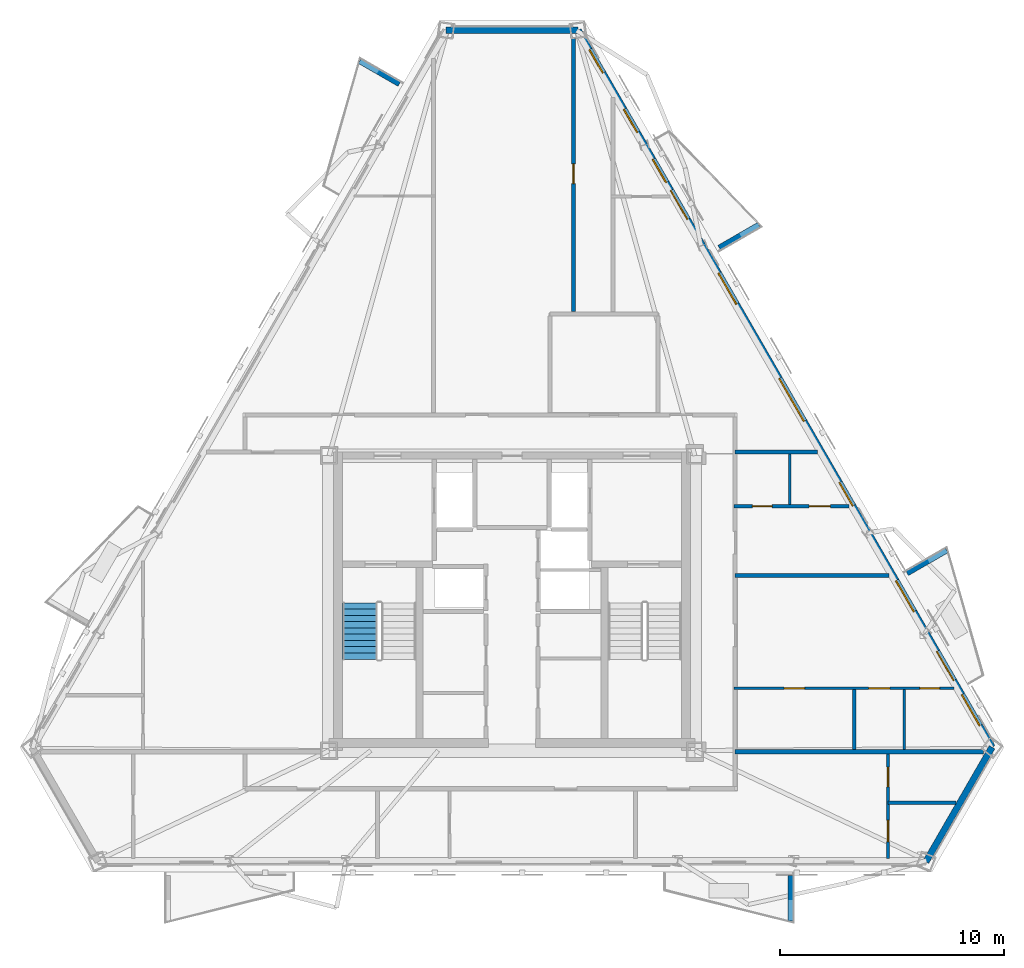
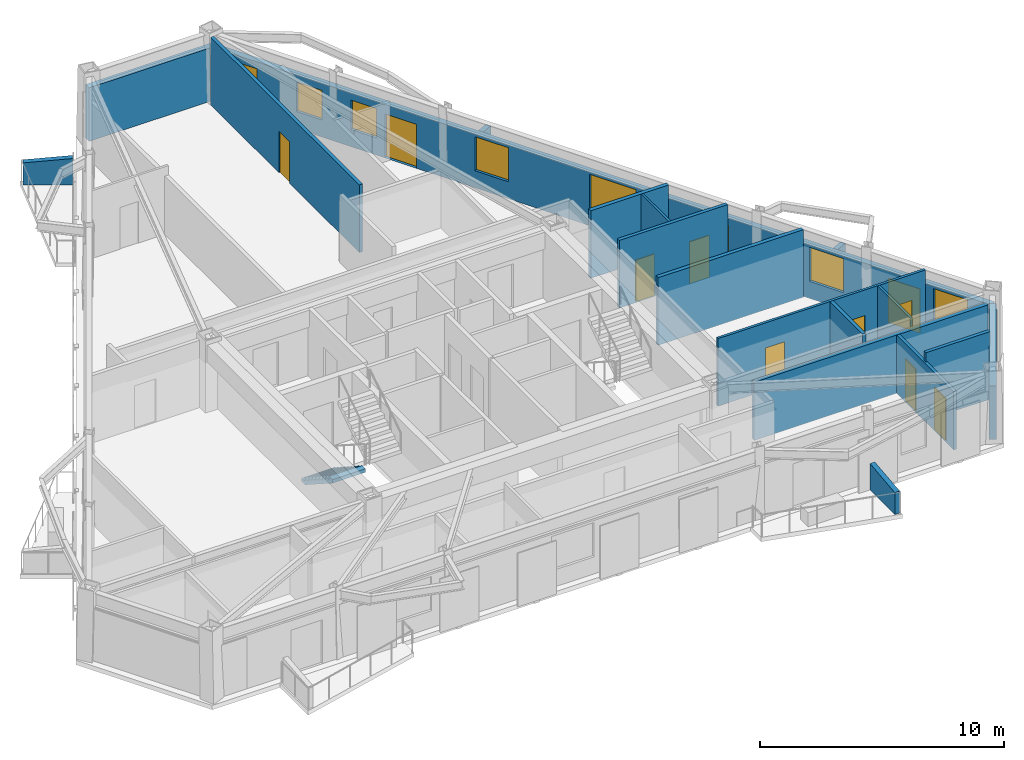
# One storey, part 5 of 9: 18 walls, 10 doors, 8 windows, 1 stair flight, 18 openings, 1 element without a shape of its own.
"""IFC4 building model written with IfcOpenShell, lengths in metres."""

from ifc_helpers import new_model, si_unit, direction, frame, frame_2d, origin, place, context, subcontext, project, spatial, polyline, rectangle, outline, extrude, material, layer, layer_set, type_object, element, fill, aggregate, save


model = new_model("IFC4")

# Units and contexts
model_context = context("Model", 3, precision=1e-05, world=origin(), true_north=direction((0.0, 1.0)))
body_context = subcontext(model_context, "Body", "Model", "MODEL_VIEW")
ifc_project = project(units=[si_unit("LENGTHUNIT", "METRE"), si_unit("AREAUNIT", "SQUARE_METRE"), si_unit("VOLUMEUNIT", "CUBIC_METRE"), si_unit("PLANEANGLEUNIT", "RADIAN"), si_unit("MASSUNIT", "GRAM", prefix="KILO")], contexts=[model_context])

# Site, building, storey
site_placement = place(None, origin())
site = spatial("IfcSite", under=ifc_project, at=site_placement, CompositionType="ELEMENT")
building_placement = place(site_placement, origin())
building = spatial("IfcBuilding", under=site, at=building_placement, Name="Oramaril Tower", CompositionType="ELEMENT")
storey_placement = place(building_placement, frame((0.0, 0.0, 237.89990234375)))
storey = spatial("IfcBuildingStorey", under=building, at=storey_placement, Name="L63", CompositionType="ELEMENT", Elevation=237.89990234375)

# Wall
ifc_material_1 = material(Name="Warm Cream Limestone", Category="masonry")
ifc_layer_1 = layer(ifc_material_1, 0.2900390625)
ifc_layer_set_1 = layer_set([ifc_layer_1], Name="WT-EXT29")
wall_type_1 = type_object("IfcWallType", Name="WT-EXT29", PredefinedType="SOLIDWALL", material=ifc_layer_set_1)
wall_1_placement = place(storey_placement, frame((55.949951171875, 6.042236328125, 0.0), z_axis=(0.0, 0.0, 1.0), x_axis=(0.499998311937, 0.866026378386, 0.0)))
element("IfcWall", 1, at=wall_1_placement, inside=storey, type_object=wall_type_1, Name="L63 Tower Limestone Facade Wall 3M", PredefinedType="SOLIDWALL", context=body_context, shape_type="SweptSolid", body=[
    extrude(rectangle(XDim=5.89892578125, YDim=0.2900390625, at=frame_2d((2.949462890625, 0.0))), origin(), (0.0, 0.0, 1.0), 2.677001953125),
])

# Wall, openings, doors, windows
wall_2_placement = place(storey_placement, frame((58.8994140625, 11.15087890625, 0.0), z_axis=(0.0, 0.0, 1.0), x_axis=(-0.500002325133, 0.866024061364, 0.0)))
wall_2 = element("IfcWall", 2, at=wall_2_placement, inside=storey, type_object=wall_type_1, Name="L63 Tower Limestone Facade Wall 4M", PredefinedType="SOLIDWALL", context=body_context, shape_type="SweptSolid", body=[
    extrude(rectangle(XDim=36.899658203125, YDim=0.2900390625, at=frame_2d((18.44970703125, 0.0))), origin(), (0.0, 0.0, 1.0), 2.677001953125),
])
opening_1_placement = place(wall_2_placement, frame((3.429443359375, 0.0, 0.0)))
opening_1 = element("IfcOpeningElement", 3, at=opening_1_placement, cuts=wall_2, Name="Opening D-L63-BAL-NE1", PredefinedType="OPENING", context=body_context, shape_type="SweptSolid", body=[
    extrude(rectangle(XDim=1.5, YDim=2.199951171875, at=frame_2d((0.75, 1.10009765625))), frame((0.0, 0.14501953125, 0.0), z_axis=(0.0, -1.0, 0.0), x_axis=(1.0, 0.0, 0.0)), (0.0, 0.0, 1.0), 0.2900390625),
])
opening_2_placement = place(wall_2_placement, frame((27.155517578125, 0.0, 0.0)))
opening_2 = element("IfcOpeningElement", 4, at=opening_2_placement, cuts=wall_2, Name="Opening D-L63-BAL-NE2", PredefinedType="OPENING", context=body_context, shape_type="SweptSolid", body=[
    extrude(rectangle(XDim=1.5, YDim=2.199951171875, at=frame_2d((0.75, 1.10009765625))), frame((0.0, 0.14501953125, 0.0), z_axis=(0.0, -1.0, 0.0), x_axis=(1.0, 0.0, 0.0)), (0.0, 0.0, 1.0), 0.2900390625),
])
opening_3_placement = place(wall_2_placement, frame((6.969970703125, 0.0, 0.85009765625)))
opening_3 = element("IfcOpeningElement", 5, at=opening_3_placement, cuts=wall_2, Name="Opening WN-07", PredefinedType="OPENING", context=body_context, shape_type="SweptSolid", body=[
    extrude(rectangle(XDim=1.60009765625, YDim=1.699951171875, at=frame_2d((0.800048828125, 0.85009765625))), frame((0.0, 0.14501953125, 0.0), z_axis=(0.0, -1.0, 0.0), x_axis=(1.0, 0.0, 0.0)), (0.0, 0.0, 1.0), 0.2900390625),
])
opening_4_placement = place(wall_2_placement, frame((1.10595703125, 0.0, 0.85009765625)))
opening_4 = element("IfcOpeningElement", 6, at=opening_4_placement, cuts=wall_2, Name="Opening WN-07", PredefinedType="OPENING", context=body_context, shape_type="SweptSolid", body=[
    extrude(rectangle(XDim=1.60009765625, YDim=1.699951171875, at=frame_2d((0.800048828125, 0.85009765625))), frame((0.0, 0.14501953125, 0.0), z_axis=(0.0, -1.0, 0.0), x_axis=(1.0, 0.0, 0.0)), (0.0, 0.0, 1.0), 0.2900390625),
])
opening_5_placement = place(wall_2_placement, frame((34.697265625, 0.0, 0.85009765625)))
opening_5 = element("IfcOpeningElement", 7, at=opening_5_placement, cuts=wall_2, Name="Opening WN-09", PredefinedType="OPENING", context=body_context, shape_type="SweptSolid", body=[
    extrude(rectangle(XDim=1.199951171875, YDim=1.47998046875, at=frame_2d((0.60009765625, 0.739990234375))), frame((0.0, 0.14501953125, 0.0), z_axis=(0.0, -1.0, 0.0), x_axis=(1.0, 0.0, 0.0)), (0.0, 0.0, 1.0), 0.2900390625),
])
opening_6_placement = place(wall_2_placement, frame((16.774169921875, 0.0, 0.85009765625)))
opening_6 = element("IfcOpeningElement", 8, at=opening_6_placement, cuts=wall_2, Name="Opening WN-04", PredefinedType="OPENING", context=body_context, shape_type="SweptSolid", body=[
    extrude(rectangle(XDim=2.199951171875, YDim=1.717041015625, at=frame_2d((1.10009765625, 0.8583984375))), frame((0.0, 0.14501953125, 0.0), z_axis=(0.0, -1.0, 0.0), x_axis=(1.0, 0.0, 0.0)), (0.0, 0.0, 1.0), 0.2900390625),
])
opening_7_placement = place(wall_2_placement, frame((22.798828125, 0.0, 0.85009765625)))
opening_7 = element("IfcOpeningElement", 9, at=opening_7_placement, cuts=wall_2, Name="Opening WN-07", PredefinedType="OPENING", context=body_context, shape_type="SweptSolid", body=[
    extrude(rectangle(XDim=1.60009765625, YDim=1.699951171875, at=frame_2d((0.800048828125, 0.85009765625))), frame((0.0, 0.14501953125, 0.0), z_axis=(0.0, -1.0, 0.0), x_axis=(1.0, 0.0, 0.0)), (0.0, 0.0, 1.0), 0.2900390625),
])
opening_8_placement = place(wall_2_placement, frame((29.058837890625, 0.0, 0.85009765625)))
opening_8 = element("IfcOpeningElement", 10, at=opening_8_placement, cuts=wall_2, Name="Opening WN-09", PredefinedType="OPENING", context=body_context, shape_type="SweptSolid", body=[
    extrude(rectangle(XDim=1.199951171875, YDim=1.47998046875, at=frame_2d((0.60009765625, 0.739990234375))), frame((0.0, 0.14501953125, 0.0), z_axis=(0.0, -1.0, 0.0), x_axis=(1.0, 0.0, 0.0)), (0.0, 0.0, 1.0), 0.2900390625),
])
opening_9_placement = place(wall_2_placement, frame((31.634765625, 0.0, 0.85009765625)))
opening_9 = element("IfcOpeningElement", 11, at=opening_9_placement, cuts=wall_2, Name="Opening WN-09", PredefinedType="OPENING", context=body_context, shape_type="SweptSolid", body=[
    extrude(rectangle(XDim=1.199951171875, YDim=1.47998046875, at=frame_2d((0.60009765625, 0.739990234375))), frame((0.0, 0.14501953125, 0.0), z_axis=(0.0, -1.0, 0.0), x_axis=(1.0, 0.0, 0.0)), (0.0, 0.0, 1.0), 0.2900390625),
])
opening_10_placement = place(wall_2_placement, frame((12.4189453125, 0.0, 0.85009765625)))
opening_10 = element("IfcOpeningElement", 12, at=opening_10_placement, cuts=wall_2, Name="Opening WN-09", PredefinedType="OPENING", context=body_context, shape_type="SweptSolid", body=[
    extrude(rectangle(XDim=1.199951171875, YDim=1.47998046875, at=frame_2d((0.60009765625, 0.739990234375))), frame((0.0, 0.14501953125, 0.0), z_axis=(0.0, -1.0, 0.0), x_axis=(1.0, 0.0, 0.0)), (0.0, 0.0, 1.0), 0.2900390625),
])
ifc_material_2 = material(Name="Anodised Aluminium 6063-T6", Category="aluminium")
door_type_1 = type_object("IfcDoorType", Name="DT-BAL", OperationType="NOTDEFINED", PredefinedType="DOOR", material=ifc_material_2)
door_1_placement = place(opening_1_placement, origin())
door_1 = element("IfcDoor", 13, at=door_1_placement, inside=storey, type_object=door_type_1, Name="L63 Balcony Glazed Door L63-BAL-NE1", OperationType="SINGLE_SWING_RIGHT", OverallHeight=2.199951171875, OverallWidth=1.5, PredefinedType="DOOR", context=body_context, shape_type="SweptSolid", body=[
    extrude(rectangle(XDim=1.5, YDim=2.199951171875, at=frame_2d((0.75, 1.10009765625))), frame((0.0, 0.02490234375, 0.0), z_axis=(0.0, -1.0, 0.0), x_axis=(1.0, 0.0, 0.0)), (0.0, 0.0, 1.0), 0.050048828125),
])
fill(opening_1, door_1)
door_2_placement = place(opening_2_placement, origin())
door_2 = element("IfcDoor", 14, at=door_2_placement, inside=storey, type_object=door_type_1, Name="L63 Balcony Glazed Door L63-BAL-NE2", OperationType="SINGLE_SWING_LEFT", OverallHeight=2.199951171875, OverallWidth=1.5, PredefinedType="DOOR", context=body_context, shape_type="SweptSolid", body=[
    extrude(rectangle(XDim=1.5, YDim=2.199951171875, at=frame_2d((0.75, 1.10009765625))), frame((0.0, 0.02490234375, 0.0), z_axis=(0.0, -1.0, 0.0), x_axis=(1.0, 0.0, 0.0)), (0.0, 0.0, 1.0), 0.050048828125),
])
fill(opening_2, door_2)
ifc_material_3 = material(Name="Coastal Low-E Insulated Glass", Category="glass")
window_type_1 = type_object("IfcWindowType", Name="WNT-04", PartitioningType="SINGLE_PANEL", PredefinedType="WINDOW", material=ifc_material_3)
window_1_placement = place(opening_6_placement, origin())
window_1 = element("IfcWindow", 15, at=window_1_placement, inside=storey, type_object=window_type_1, Name="L63 Chicago Bay Window WN-04", OverallHeight=1.717041015625, OverallWidth=2.199951171875, PartitioningType="SINGLE_PANEL", PredefinedType="WINDOW", context=body_context, shape_type="SweptSolid", body=[
    extrude(rectangle(XDim=2.199951171875, YDim=1.717041015625, at=frame_2d((1.10009765625, 0.8583984375))), frame((0.0, 0.030029296875, 0.0), z_axis=(0.0, -1.0, 0.0), x_axis=(1.0, 0.0, 0.0)), (0.0, 0.0, 1.0), 0.06005859375),
])
fill(opening_6, window_1)
ifc_material_4 = material(Name="Coastal Low-E Insulated Glass", Category="glass")
window_type_2 = type_object("IfcWindowType", Name="WNT-07", PartitioningType="SINGLE_PANEL", PredefinedType="WINDOW", material=ifc_material_4)
window_2_placement = place(opening_3_placement, origin())
window_2 = element("IfcWindow", 16, at=window_2_placement, inside=storey, type_object=window_type_2, Name="L63 Chicago Bay Window WN-07", OverallHeight=1.699951171875, OverallWidth=1.60009765625, PartitioningType="SINGLE_PANEL", PredefinedType="WINDOW", context=body_context, shape_type="SweptSolid", body=[
    extrude(rectangle(XDim=1.60009765625, YDim=1.699951171875, at=frame_2d((0.800048828125, 0.85009765625))), frame((0.0, 0.030029296875, 0.0), z_axis=(0.0, -1.0, 0.0), x_axis=(1.0, 0.0, 0.0)), (0.0, 0.0, 1.0), 0.06005859375),
])
fill(opening_3, window_2)
window_3_placement = place(opening_4_placement, origin())
window_3 = element("IfcWindow", 17, at=window_3_placement, inside=storey, type_object=window_type_2, Name="L63 Chicago Bay Window WN-07", OverallHeight=1.699951171875, OverallWidth=1.60009765625, PartitioningType="SINGLE_PANEL", PredefinedType="WINDOW", context=body_context, shape_type="SweptSolid", body=[
    extrude(rectangle(XDim=1.60009765625, YDim=1.699951171875, at=frame_2d((0.800048828125, 0.85009765625))), frame((0.0, 0.030029296875, 0.0), z_axis=(0.0, -1.0, 0.0), x_axis=(1.0, 0.0, 0.0)), (0.0, 0.0, 1.0), 0.06005859375),
])
fill(opening_4, window_3)
window_4_placement = place(opening_7_placement, origin())
window_4 = element("IfcWindow", 18, at=window_4_placement, inside=storey, type_object=window_type_2, Name="L63 Chicago Bay Window WN-07", OverallHeight=1.699951171875, OverallWidth=1.60009765625, PartitioningType="SINGLE_PANEL", PredefinedType="WINDOW", context=body_context, shape_type="SweptSolid", body=[
    extrude(rectangle(XDim=1.60009765625, YDim=1.699951171875, at=frame_2d((0.800048828125, 0.85009765625))), frame((0.0, 0.030029296875, 0.0), z_axis=(0.0, -1.0, 0.0), x_axis=(1.0, 0.0, 0.0)), (0.0, 0.0, 1.0), 0.06005859375),
])
fill(opening_7, window_4)
ifc_material_5 = material(Name="Coastal Low-E Insulated Glass", Category="glass")
window_type_3 = type_object("IfcWindowType", Name="WNT-09", PartitioningType="SINGLE_PANEL", PredefinedType="WINDOW", material=ifc_material_5)
window_5_placement = place(opening_5_placement, origin())
window_5 = element("IfcWindow", 19, at=window_5_placement, inside=storey, type_object=window_type_3, Name="L63 Chicago Bay Window WN-09", OverallHeight=1.47998046875, OverallWidth=1.199951171875, PartitioningType="SINGLE_PANEL", PredefinedType="WINDOW", context=body_context, shape_type="SweptSolid", body=[
    extrude(rectangle(XDim=1.199951171875, YDim=1.47998046875, at=frame_2d((0.60009765625, 0.739990234375))), frame((0.0, 0.030029296875, 0.0), z_axis=(0.0, -1.0, 0.0), x_axis=(1.0, 0.0, 0.0)), (0.0, 0.0, 1.0), 0.06005859375),
])
fill(opening_5, window_5)
window_6_placement = place(opening_8_placement, origin())
window_6 = element("IfcWindow", 20, at=window_6_placement, inside=storey, type_object=window_type_3, Name="L63 Chicago Bay Window WN-09", OverallHeight=1.47998046875, OverallWidth=1.199951171875, PartitioningType="SINGLE_PANEL", PredefinedType="WINDOW", context=body_context, shape_type="SweptSolid", body=[
    extrude(rectangle(XDim=1.199951171875, YDim=1.47998046875, at=frame_2d((0.60009765625, 0.739990234375))), frame((0.0, 0.030029296875, 0.0), z_axis=(0.0, -1.0, 0.0), x_axis=(1.0, 0.0, 0.0)), (0.0, 0.0, 1.0), 0.06005859375),
])
fill(opening_8, window_6)
window_7_placement = place(opening_9_placement, origin())
window_7 = element("IfcWindow", 21, at=window_7_placement, inside=storey, type_object=window_type_3, Name="L63 Chicago Bay Window WN-09", OverallHeight=1.47998046875, OverallWidth=1.199951171875, PartitioningType="SINGLE_PANEL", PredefinedType="WINDOW", context=body_context, shape_type="SweptSolid", body=[
    extrude(rectangle(XDim=1.199951171875, YDim=1.47998046875, at=frame_2d((0.60009765625, 0.739990234375))), frame((0.0, 0.030029296875, 0.0), z_axis=(0.0, -1.0, 0.0), x_axis=(1.0, 0.0, 0.0)), (0.0, 0.0, 1.0), 0.06005859375),
])
fill(opening_9, window_7)
window_8_placement = place(opening_10_placement, origin())
window_8 = element("IfcWindow", 22, at=window_8_placement, inside=storey, type_object=window_type_3, Name="L63 Apartment Bedroom Window WN-09", OverallHeight=1.47998046875, OverallWidth=1.199951171875, PartitioningType="SINGLE_PANEL", PredefinedType="WINDOW", context=body_context, shape_type="SweptSolid", body=[
    extrude(rectangle(XDim=1.199951171875, YDim=1.47998046875, at=frame_2d((0.60009765625, 0.739990234375))), frame((0.0, 0.030029296875, 0.0), z_axis=(0.0, -1.0, 0.0), x_axis=(1.0, 0.0, 0.0)), (0.0, 0.0, 1.0), 0.06005859375),
])
fill(opening_10, window_8)

# Walls
wall_3_placement = place(storey_placement, frame((40.449462890625, 43.10693359375, 0.0), z_axis=(0.0, 0.0, 1.0), x_axis=(-1.0, 0.0, 0.0)))
element("IfcWall", 23, at=wall_3_placement, inside=storey, type_object=wall_type_1, Name="L63 Tower Limestone Facade Wall 5M", PredefinedType="SOLIDWALL", context=body_context, shape_type="SweptSolid", body=[
    extrude(rectangle(XDim=5.89892578125, YDim=0.2900390625, at=frame_2d((2.949462890625, 0.0))), origin(), (0.0, 0.0, 1.0), 2.677001953125),
])
ifc_material_6 = material(Name="Concrete C40/50", Category="concrete")
ifc_layer_2 = layer(ifc_material_6, 0.22998046875)
ifc_layer_set_2 = layer_set([ifc_layer_2], Name="WT-PRP23")
wall_type_2 = type_object("IfcWallType", Name="WT-PRP23", PredefinedType="PARAPET", material=ifc_layer_set_2)
for number, where, z_axis, x_axis, name in (
    (24, (49.910400390625, 5.444091796875, 0.0), (0.0, 0.0, 1.0), (0.0, -1.0, 0.0), "L63 Trapezoidal Balcony Frame Cheek L63-BAL-S2-R"),
    (25, (55.114990234375, 18.9013671875, 0.0), (0.0, 0.0, 1.0), (0.866042246008, 0.499970827278, 0.0), "L63 Trapezoidal Balcony Frame Cheek L63-BAL-NE1-R"),
    (26, (46.73193359375, 33.42138671875, 0.0), (0.0, 0.0, 1.0), (0.866042246008, 0.499970827278, 0.0), "L63 Trapezoidal Balcony Frame Cheek L63-BAL-NE2-L"),
    (27, (32.4755859375, 40.708740234375, 0.0), (0.0, 0.0, 1.0), (-0.866042246008, 0.499970827278, 0.0), "L63 Trapezoidal Balcony Frame Cheek L63-BAL-NW1-L"),
):
    element("IfcWall", number, at=place(storey_placement, frame(where, z_axis=z_axis, x_axis=x_axis)), inside=storey, type_object=wall_type_2, Name=name, PredefinedType="PARAPET", context=body_context, shape_type="SweptSolid", body=[
        extrude(outline(polyline([(0.0, 0.0), (2.0419921875, 0.0), (2.0419921875, 1.10009765625), (0.0, 1.320068359375), (0.0, 0.0)])), frame((0.0, 0.114990234375, 0.0), z_axis=(0.0, -1.0, 0.0), x_axis=(1.0, 0.0, 0.0)), (0.0, 0.0, 1.0), 0.22998046875),
    ])
ifc_material_7 = material(Name="Acoustic Gypsum Board Partition")
ifc_layer_3 = layer(ifc_material_7, 0.10009765625)
ifc_layer_set_3 = layer_set([ifc_layer_3], Name="WT-PT10")
wall_type_3 = type_object("IfcWallType", Name="WT-PT10", PredefinedType="PARTITIONING", material=ifc_layer_set_3)
wall_4_placement = place(storey_placement, frame((49.8798828125, 21.97412109375, 0.0), z_axis=(0.0, 0.0, 1.0), x_axis=(0.0, 1.0, 0.0)))
element("IfcWall", 28, at=wall_4_placement, inside=storey, type_object=wall_type_3, Name="L63 Interior Partition PT-10", PredefinedType="PARTITIONING", context=body_context, shape_type="SweptSolid", body=[
    extrude(rectangle(XDim=2.251953125, YDim=0.10009765625, at=frame_2d((1.1259765625, 0.0))), origin(), (0.0, 0.0, 1.0), 3.380126953125),
])

# Wall, openings, doors
ifc_material_8 = material(Name="Acoustic Gypsum Board Partition")
ifc_layer_4 = layer(ifc_material_8, 0.1201171875)
ifc_layer_set_4 = layer_set([ifc_layer_4], Name="WT-PT12")
wall_type_4 = type_object("IfcWallType", Name="WT-PT12", PredefinedType="PARTITIONING", material=ifc_layer_set_4)
wall_5_placement = place(storey_placement, frame((47.39990234375, 13.780029296875, 0.0), z_axis=(0.0, 0.0, 1.0), x_axis=(1.0, 0.0, 0.0)))
wall_5 = element("IfcWall", 29, at=wall_5_placement, inside=storey, type_object=wall_type_4, Name="L63 Interior Partition PT-12", PredefinedType="PARTITIONING", context=body_context, shape_type="SweptSolid", body=[
    extrude(rectangle(XDim=9.8095703125, YDim=0.1201171875, at=frame_2d((4.90478515625, 0.0))), origin(), (0.0, 0.0, 1.0), 3.380126953125),
])
opening_11_placement = place(wall_5_placement, frame((2.2275390625, 0.0, 0.0)))
opening_11 = element("IfcOpeningElement", 30, at=opening_11_placement, cuts=wall_5, Name="Opening D-L63-04", PredefinedType="OPENING", context=body_context, shape_type="SweptSolid", body=[
    extrude(rectangle(XDim=0.919921875, YDim=2.1201171875, at=frame_2d((0.4599609375, 1.06005859375))), frame((0.0, 0.06005859375, 0.0), z_axis=(0.0, -1.0, 0.0), x_axis=(1.0, 0.0, 0.0)), (0.0, 0.0, 1.0), 0.1201171875),
])
opening_12_placement = place(wall_5_placement, frame((5.998291015625, 0.0, 0.0)))
opening_12 = element("IfcOpeningElement", 31, at=opening_12_placement, cuts=wall_5, Name="Opening D-L63-05", PredefinedType="OPENING", context=body_context, shape_type="SweptSolid", body=[
    extrude(rectangle(XDim=0.949951171875, YDim=2.10009765625, at=frame_2d((0.47509765625, 1.050048828125))), frame((0.0, 0.06005859375, 0.0), z_axis=(0.0, -1.0, 0.0), x_axis=(1.0, 0.0, 0.0)), (0.0, 0.0, 1.0), 0.1201171875),
])
opening_13_placement = place(wall_5_placement, frame((8.27587890625, 0.0, 0.0)))
opening_13 = element("IfcOpeningElement", 32, at=opening_13_placement, cuts=wall_5, Name="Opening D-L63-06", PredefinedType="OPENING", context=body_context, shape_type="SweptSolid", body=[
    extrude(rectangle(XDim=0.8798828125, YDim=2.080078125, at=frame_2d((0.43994140625, 1.0400390625))), frame((0.0, 0.06005859375, 0.0), z_axis=(0.0, -1.0, 0.0), x_axis=(1.0, 0.0, 0.0)), (0.0, 0.0, 1.0), 0.1201171875),
])
ifc_material_9 = material(Name="FSC Brazilian Freijo Hardwood", Category="wood")
door_type_2 = type_object("IfcDoorType", Name="DT-BATH", OperationType="NOTDEFINED", PredefinedType="DOOR", material=ifc_material_9)
door_3_placement = place(opening_13_placement, origin())
door_3 = element("IfcDoor", 33, at=door_3_placement, inside=storey, type_object=door_type_2, Name="L63 Flat L63-U5 Bathroom Door D-L63-06", OperationType="SINGLE_SWING_RIGHT", OverallHeight=2.080078125, OverallWidth=0.8798828125, PredefinedType="DOOR", context=body_context, shape_type="SweptSolid", body=[
    extrude(rectangle(XDim=0.8798828125, YDim=2.080078125, at=frame_2d((0.43994140625, 1.0400390625))), frame((0.0, 0.02490234375, 0.0), z_axis=(0.0, -1.0, 0.0), x_axis=(1.0, 0.0, 0.0)), (0.0, 0.0, 1.0), 0.050048828125),
])
fill(opening_13, door_3)
ifc_material_10 = material(Name="FSC Brazilian Freijo Hardwood", Category="wood")
door_type_3 = type_object("IfcDoorType", Name="DT-BED", OperationType="NOTDEFINED", PredefinedType="DOOR", material=ifc_material_10)
door_4_placement = place(opening_11_placement, origin())
door_4 = element("IfcDoor", 34, at=door_4_placement, inside=storey, type_object=door_type_3, Name="L63 Flat L63-U5 Master Bedroom Door D-L63-04", OperationType="SINGLE_SWING_RIGHT", OverallHeight=2.1201171875, OverallWidth=0.919921875, PredefinedType="DOOR", context=body_context, shape_type="SweptSolid", body=[
    extrude(rectangle(XDim=0.919921875, YDim=2.1201171875, at=frame_2d((0.4599609375, 1.06005859375))), frame((0.0, 0.02490234375, 0.0), z_axis=(0.0, -1.0, 0.0), x_axis=(1.0, 0.0, 0.0)), (0.0, 0.0, 1.0), 0.050048828125),
])
fill(opening_11, door_4)
ifc_material_11 = material(Name="FSC Brazilian Freijo Hardwood", Category="wood")
door_type_4 = type_object("IfcDoorType", Name="DT-STDY", OperationType="NOTDEFINED", PredefinedType="DOOR", material=ifc_material_11)
door_5_placement = place(opening_12_placement, origin())
door_5 = element("IfcDoor", 35, at=door_5_placement, inside=storey, type_object=door_type_4, Name="L63 Flat L63-U5 Kitchen Door D-L63-05", OperationType="SINGLE_SWING_LEFT", OverallHeight=2.10009765625, OverallWidth=0.949951171875, PredefinedType="DOOR", context=body_context, shape_type="SweptSolid", body=[
    extrude(rectangle(XDim=0.949951171875, YDim=2.10009765625, at=frame_2d((0.47509765625, 1.050048828125))), frame((0.0, 0.02490234375, 0.0), z_axis=(0.0, -1.0, 0.0), x_axis=(1.0, 0.0, 0.0)), (0.0, 0.0, 1.0), 0.050048828125),
])
fill(opening_12, door_5)

# Wall
wall_6_placement = place(storey_placement, frame((54.989990234375, 11.0439453125, 0.0), z_axis=(0.0, 0.0, 1.0), x_axis=(0.0, 1.0, 0.0)))
element("IfcWall", 36, at=wall_6_placement, inside=storey, type_object=wall_type_4, Name="L63 Interior Partition PT-12", PredefinedType="PARTITIONING", context=body_context, shape_type="SweptSolid", body=[
    extrude(rectangle(XDim=2.672119140625, YDim=0.1201171875, at=frame_2d((1.3359375, 0.0))), origin(), (0.0, 0.0, 1.0), 3.380126953125),
])

# Wall, openings, doors
ifc_material_12 = material(Name="Acoustic Gypsum Board Partition")
ifc_layer_5 = layer(ifc_material_12, 0.139892578125)
ifc_layer_set_5 = layer_set([ifc_layer_5], Name="WT-PT14")
wall_type_5 = type_object("IfcWallType", Name="WT-PT14", PredefinedType="PARTITIONING", material=ifc_layer_set_5)
wall_7_placement = place(storey_placement, frame((54.260009765625, 6.191162109375, 0.0), z_axis=(0.0, 0.0, 1.0), x_axis=(0.0, 1.0, 0.0)))
wall_7 = element("IfcWall", 37, at=wall_7_placement, inside=storey, type_object=wall_type_5, Name="L63 Interior Partition PT-14", PredefinedType="PARTITIONING", context=body_context, shape_type="SweptSolid", body=[
    extrude(rectangle(XDim=4.664794921875, YDim=0.139892578125, at=frame_2d((2.33251953125, 0.0))), origin(), (0.0, 0.0, 1.0), 2.9130859375),
])
opening_14_placement = place(wall_7_placement, frame((0.748779296875, 0.0, 0.0)))
opening_14 = element("IfcOpeningElement", 38, at=opening_14_placement, cuts=wall_7, Name="Opening D-L63-23", PredefinedType="OPENING", context=body_context, shape_type="SweptSolid", body=[
    extrude(rectangle(XDim=0.949951171875, YDim=2.10009765625, at=frame_2d((0.47509765625, 1.050048828125))), frame((0.0, 0.06982421875, 0.0), z_axis=(0.0, -1.0, 0.0), x_axis=(1.0, 0.0, 0.0)), (0.0, 0.0, 1.0), 0.139892578125),
])
opening_15_placement = place(wall_7_placement, frame((3.192626953125, 0.0, 0.0)))
opening_15 = element("IfcOpeningElement", 39, at=opening_15_placement, cuts=wall_7, Name="Opening D-L63-24", PredefinedType="OPENING", context=body_context, shape_type="SweptSolid", body=[
    extrude(rectangle(XDim=0.8798828125, YDim=2.080078125, at=frame_2d((0.43994140625, 1.0400390625))), frame((0.0, 0.06982421875, 0.0), z_axis=(0.0, -1.0, 0.0), x_axis=(1.0, 0.0, 0.0)), (0.0, 0.0, 1.0), 0.139892578125),
])
door_6_placement = place(opening_15_placement, origin())
door_6 = element("IfcDoor", 40, at=door_6_placement, inside=storey, type_object=door_type_2, Name="L63 Flat L63-U3 Bathroom Door D-L63-24", OperationType="SINGLE_SWING_RIGHT", OverallHeight=2.080078125, OverallWidth=0.8798828125, PredefinedType="DOOR", context=body_context, shape_type="SweptSolid", body=[
    extrude(rectangle(XDim=0.8798828125, YDim=2.080078125, at=frame_2d((0.43994140625, 1.0400390625))), frame((0.0, 0.02490234375, 0.0), z_axis=(0.0, -1.0, 0.0), x_axis=(1.0, 0.0, 0.0)), (0.0, 0.0, 1.0), 0.050048828125),
])
fill(opening_15, door_6)
door_7_placement = place(opening_14_placement, origin())
door_7 = element("IfcDoor", 41, at=door_7_placement, inside=storey, type_object=door_type_4, Name="L63 Flat L63-U3 Kitchen Door D-L63-23", OperationType="SINGLE_SWING_LEFT", OverallHeight=2.10009765625, OverallWidth=0.949951171875, PredefinedType="DOOR", context=body_context, shape_type="SweptSolid", body=[
    extrude(rectangle(XDim=0.949951171875, YDim=2.10009765625, at=frame_2d((0.47509765625, 1.050048828125))), frame((0.0, 0.02490234375, 0.0), z_axis=(0.0, -1.0, 0.0), x_axis=(1.0, 0.0, 0.0)), (0.0, 0.0, 1.0), 0.050048828125),
])
fill(opening_14, door_7)

# Wall
ifc_material_13 = material(Name="Acoustic Gypsum Board Partition")
ifc_layer_6 = layer(ifc_material_13, 0.159912109375)
ifc_layer_set_6 = layer_set([ifc_layer_6], Name="WT-PT16")
wall_type_6 = type_object("IfcWallType", Name="WT-PT16", PredefinedType="PARTITIONING", material=ifc_layer_set_6)
wall_8_placement = place(storey_placement, frame((54.26025390625, 8.669921875, 0.0), z_axis=(0.0, 0.0, 1.0), x_axis=(1.0, 0.0, 0.0)))
element("IfcWall", 42, at=wall_8_placement, inside=storey, type_object=wall_type_6, Name="L63 Interior Partition PT-16", PredefinedType="PARTITIONING", context=body_context, shape_type="SweptSolid", body=[
    extrude(rectangle(XDim=3.03466796875, YDim=0.159912109375, at=frame_2d((1.517333984375, 0.0))), origin(), (0.0, 0.0, 1.0), 3.380126953125),
])

# Wall, openings, doors
wall_9_placement = place(storey_placement, frame((47.39990234375, 21.889892578125, 0.0), z_axis=(0.0, 0.0, 1.0), x_axis=(1.0, 0.0, 0.0)))
wall_9 = element("IfcWall", 43, at=wall_9_placement, inside=storey, type_object=wall_type_6, Name="L63 Interior Partition PT-16", PredefinedType="PARTITIONING", context=body_context, shape_type="SweptSolid", body=[
    extrude(rectangle(XDim=5.127197265625, YDim=0.159912109375, at=frame_2d((2.5634765625, 0.0))), origin(), (0.0, 0.0, 1.0), 3.380126953125),
])
opening_16_placement = place(wall_9_placement, frame((0.8125, 0.0, 0.0)))
opening_16 = element("IfcOpeningElement", 44, at=opening_16_placement, cuts=wall_9, Name="Opening D-L63-07", PredefinedType="OPENING", context=body_context, shape_type="SweptSolid", body=[
    extrude(rectangle(XDim=0.8798828125, YDim=2.080078125, at=frame_2d((0.43994140625, 1.0400390625))), frame((0.0, 0.080078125, 0.0), z_axis=(0.0, -1.0, 0.0), x_axis=(1.0, 0.0, 0.0)), (0.0, 0.0, 1.0), 0.159912109375),
])
opening_17_placement = place(wall_9_placement, frame((3.344970703125, 0.0, 0.0)))
opening_17 = element("IfcOpeningElement", 45, at=opening_17_placement, cuts=wall_9, Name="Opening D-L63-08", PredefinedType="OPENING", context=body_context, shape_type="SweptSolid", body=[
    extrude(rectangle(XDim=0.949951171875, YDim=2.10009765625, at=frame_2d((0.47509765625, 1.050048828125))), frame((0.0, 0.080078125, 0.0), z_axis=(0.0, -1.0, 0.0), x_axis=(1.0, 0.0, 0.0)), (0.0, 0.0, 1.0), 0.159912109375),
])
door_8_placement = place(opening_16_placement, origin())
door_8 = element("IfcDoor", 46, at=door_8_placement, inside=storey, type_object=door_type_2, Name="L63 Flat L63-U6 Bathroom Door D-L63-07", OperationType="SINGLE_SWING_LEFT", OverallHeight=2.080078125, OverallWidth=0.8798828125, PredefinedType="DOOR", context=body_context, shape_type="SweptSolid", body=[
    extrude(rectangle(XDim=0.8798828125, YDim=2.080078125, at=frame_2d((0.43994140625, 1.0400390625))), frame((0.0, 0.02490234375, 0.0), z_axis=(0.0, -1.0, 0.0), x_axis=(1.0, 0.0, 0.0)), (0.0, 0.0, 1.0), 0.050048828125),
])
fill(opening_16, door_8)
door_9_placement = place(opening_17_placement, origin())
door_9 = element("IfcDoor", 47, at=door_9_placement, inside=storey, type_object=door_type_4, Name="L63 Flat L63-U6 Kitchen Door D-L63-08", OperationType="SINGLE_SWING_RIGHT", OverallHeight=2.10009765625, OverallWidth=0.949951171875, PredefinedType="DOOR", context=body_context, shape_type="SweptSolid", body=[
    extrude(rectangle(XDim=0.949951171875, YDim=2.10009765625, at=frame_2d((0.47509765625, 1.050048828125))), frame((0.0, 0.02490234375, 0.0), z_axis=(0.0, -1.0, 0.0), x_axis=(1.0, 0.0, 0.0)), (0.0, 0.0, 1.0), 0.050048828125),
])
fill(opening_17, door_9)

# Wall, opening, door
wall_10_placement = place(storey_placement, frame((40.239990234375, 30.56396484375, 0.0), z_axis=(0.0, 0.0, 1.0), x_axis=(0.0, 1.0, 0.0)))
wall_10 = element("IfcWall", 48, at=wall_10_placement, inside=storey, type_object=wall_type_6, Name="L63 Interior Partition PT-16", PredefinedType="PARTITIONING", context=body_context, shape_type="SweptSolid", body=[
    extrude(rectangle(XDim=12.17333984375, YDim=0.159912109375, at=frame_2d((6.086669921875, 0.0))), origin(), (0.0, 0.0, 1.0), 3.380126953125),
])
opening_18_placement = place(wall_10_placement, frame((5.70947265625, 0.0, 0.0)))
opening_18 = element("IfcOpeningElement", 49, at=opening_18_placement, cuts=wall_10, Name="Opening D-L63-20", PredefinedType="OPENING", context=body_context, shape_type="SweptSolid", body=[
    extrude(rectangle(XDim=0.8798828125, YDim=2.080078125, at=frame_2d((0.43994140625, 1.0400390625))), frame((0.0, 0.080078125, 0.0), z_axis=(0.0, -1.0, 0.0), x_axis=(1.0, 0.0, 0.0)), (0.0, 0.0, 1.0), 0.159912109375),
])
door_10_placement = place(opening_18_placement, origin())
door_10 = element("IfcDoor", 50, at=door_10_placement, inside=storey, type_object=door_type_2, Name="L63 Flat L63-U8 Bathroom Door D-L63-20", OperationType="SINGLE_SWING_RIGHT", OverallHeight=2.080078125, OverallWidth=0.8798828125, PredefinedType="DOOR", context=body_context, shape_type="SweptSolid", body=[
    extrude(rectangle(XDim=0.8798828125, YDim=2.080078125, at=frame_2d((0.43994140625, 1.0400390625))), frame((0.0, 0.02490234375, 0.0), z_axis=(0.0, -1.0, 0.0), x_axis=(1.0, 0.0, 0.0)), (0.0, 0.0, 1.0), 0.050048828125),
])
fill(opening_18, door_10)

# Walls
wall_11_placement = place(storey_placement, frame((52.760009765625, 11.0439453125, 0.0), z_axis=(0.0, 0.0, 1.0), x_axis=(0.0, 1.0, 0.0)))
element("IfcWall", 51, at=wall_11_placement, inside=storey, type_object=wall_type_6, Name="L63 Interior Partition PT-16", PredefinedType="PARTITIONING", context=body_context, shape_type="SweptSolid", body=[
    extrude(rectangle(XDim=2.672119140625, YDim=0.159912109375, at=frame_2d((1.3359375, 0.0))), origin(), (0.0, 0.0, 1.0), 3.380126953125),
])
ifc_material_14 = material(Name="Autoclaved Cellular Concrete Block", Category="concrete")
ifc_layer_7 = layer(ifc_material_14, 0.179931640625)
ifc_layer_set_7 = layer_set([ifc_layer_7], Name="WT-PT18")
wall_type_7 = type_object("IfcWallType", Name="WT-PT18", PredefinedType="PARTITIONING", material=ifc_layer_set_7)
wall_12_placement = place(storey_placement, frame((47.449951171875, 10.949951171875, 0.0), z_axis=(0.0, 0.0, 1.0), x_axis=(1.0, 0.0, 0.0)))
element("IfcWall", 52, at=wall_12_placement, inside=storey, type_object=wall_type_7, Name="L63 Interior Partition PT-18", PredefinedType="PARTITIONING", context=body_context, shape_type="SweptSolid", body=[
    extrude(rectangle(XDim=11.0634765625, YDim=0.179931640625, at=frame_2d((5.53173828125, 0.0))), origin(), (0.0, 0.0, 1.0), 2.9130859375),
])
wall_13_placement = place(storey_placement, frame((47.449951171875, 18.800048828125, 0.0), z_axis=(0.0, 0.0, 1.0), x_axis=(1.0, 0.0, 0.0)))
element("IfcWall", 53, at=wall_13_placement, inside=storey, type_object=wall_type_7, Name="L63 Interior Partition PT-18", PredefinedType="PARTITIONING", context=body_context, shape_type="SweptSolid", body=[
    extrude(rectangle(XDim=6.861083984375, YDim=0.179931640625, at=frame_2d((3.4306640625, 0.0))), origin(), (0.0, 0.0, 1.0), 3.380126953125),
])
wall_14_placement = place(storey_placement, frame((47.449951171875, 24.320068359375, 0.0), z_axis=(0.0, 0.0, 1.0), x_axis=(1.0, 0.0, 0.0)))
element("IfcWall", 54, at=wall_14_placement, inside=storey, type_object=wall_type_7, Name="L63 Interior Partition PT-18", PredefinedType="PARTITIONING", context=body_context, shape_type="SweptSolid", body=[
    extrude(rectangle(XDim=3.674072265625, YDim=0.179931640625, at=frame_2d((1.8369140625, 0.0))), origin(), (0.0, 0.0, 1.0), 3.380126953125),
])

# Stair, stair flight
ifc_material_15 = material(Name="Concrete C50/60", Category="concrete")
stair_type = type_object("IfcStairType", Name="STT-DG-3600", PredefinedType="HALF_TURN_STAIR", material=ifc_material_15)
stair_placement = place(storey_placement, origin())
stair = element("IfcStair", 55, at=stair_placement, inside=storey, type_object=stair_type, Name="L63 Protected PFP Exit Stair ST-1", PredefinedType="HALF_TURN_STAIR")
ifc_material_16 = material(Name="Concrete C50/60", Category="concrete")
stair_flight_type = type_object("IfcStairFlightType", Name="SFT-DG-3600", PredefinedType="STRAIGHT", material=ifc_material_16)
stair_flight_placement = place(storey_placement, frame((30.72998046875, 17.590087890625, 0.0), z_axis=(0.0, 0.0, 1.0), x_axis=(0.0, -1.0, 0.0)))
stair_flight = element("IfcStairFlight", 56, at=stair_flight_placement, type_object=stair_flight_type, Name="ST-1 flight 1", NumberOfRisers=10, NumberOfTreads=9, PredefinedType="STRAIGHT", RiserHeight=0.18, TreadLength=0.28, context=body_context, shape_type="SweptSolid", body=[
    extrude(outline(polyline([(0.0, 0.0), (0.0, 0.179931640625), (0.280029296875, 0.179931640625), (0.280029296875, 0.360107421875), (0.56005859375, 0.360107421875), (0.56005859375, 0.5400390625), (0.840087890625, 0.5400390625), (0.840087890625, 0.719970703125), (1.1201171875, 0.719970703125), (1.1201171875, 0.89990234375), (1.39990234375, 0.89990234375), (1.39990234375, 1.080078125), (1.679931640625, 1.080078125), (1.679931640625, 1.260009765625), (1.9599609375, 1.260009765625), (1.9599609375, 1.43994140625), (2.239990234375, 1.43994140625), (2.239990234375, 1.6201171875), (2.52001953125, 1.6201171875), (2.52001953125, 1.800048828125), (2.52001953125, 1.44189453125), (0.277099609375, 0.0), (0.0, 0.0)])), frame((0.0, 0.780029296875, 0.0), z_axis=(0.0, -1.0, 0.0), x_axis=(1.0, 0.0, 0.0)), (0.0, 0.0, 1.0), 1.56005859375),
])
aggregate(stair, [stair_flight])

save(model, "model.ifc")
